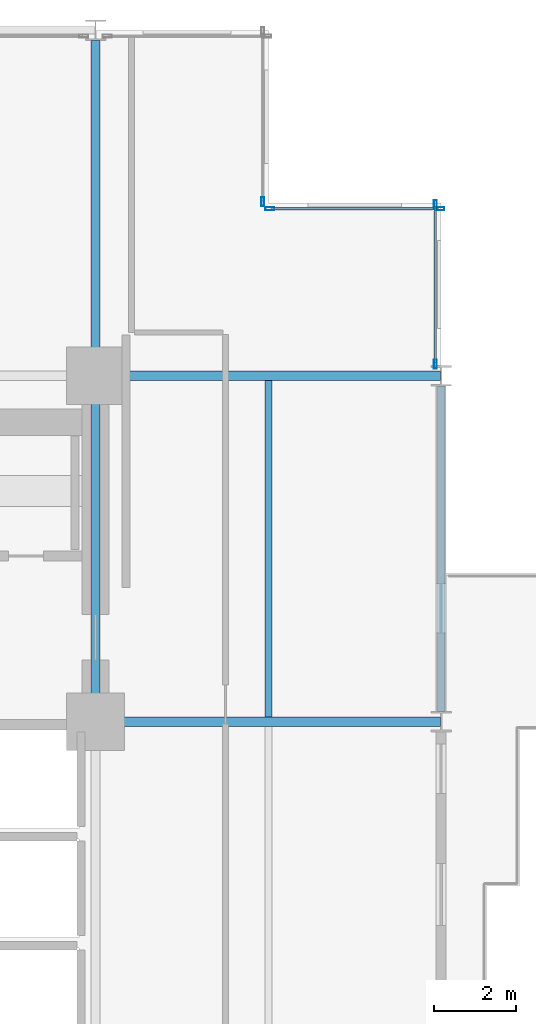
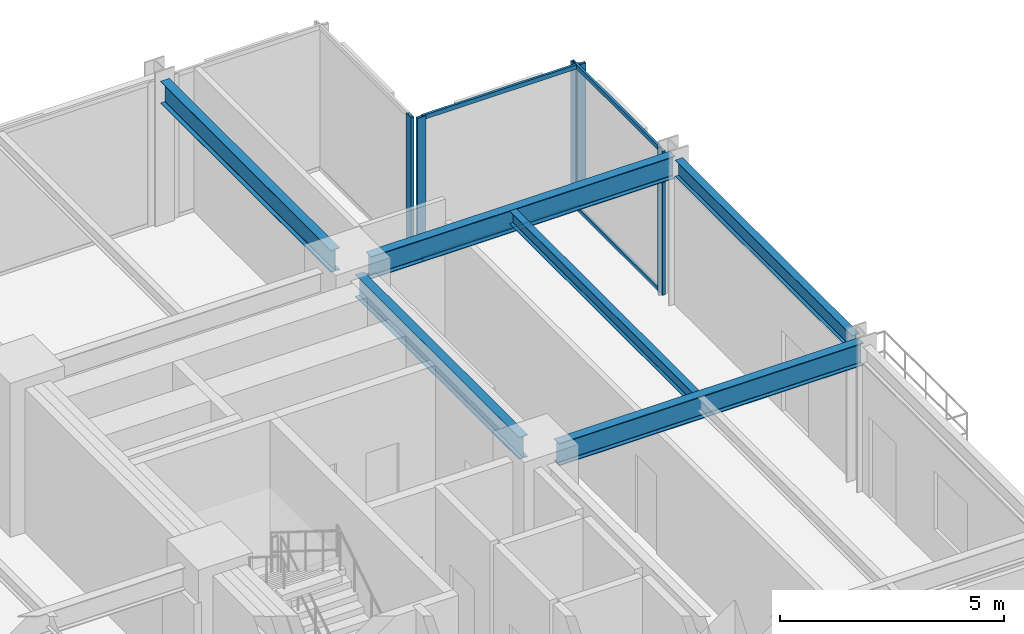
# One storey, part 16 of 24: 9 members, 6 beams, 3 elements without a shape of their own.
"""IFC4 building model written with IfcOpenShell, lengths in metres."""

from ifc_helpers import new_model, si_unit, direction, frame, origin, origin_2d, place, context, subcontext, project, spatial, hollow_rectangle, i_section, extrude, material, layer, layer_set, material_profile, profile_set, type_object, element, aggregate, save


model = new_model("IFC4")

# Units and contexts
model_context = context("Model", 3, precision=1e-05, world=origin(), true_north=direction((0.0, 1.0)))
body_context = subcontext(model_context, "Body", "Model", "MODEL_VIEW")
ifc_project = project(units=[si_unit("LENGTHUNIT", "METRE"), si_unit("AREAUNIT", "SQUARE_METRE"), si_unit("VOLUMEUNIT", "CUBIC_METRE"), si_unit("PLANEANGLEUNIT", "RADIAN"), si_unit("MASSUNIT", "GRAM", prefix="KILO")], contexts=[model_context])

# Site, building, storey
site_placement = place(None, origin())
site = spatial("IfcSite", under=ifc_project, at=site_placement, CompositionType="ELEMENT")
building_placement = place(site_placement, origin())
building = spatial("IfcBuilding", under=site, at=building_placement, Name="Nerrivon Quay Data Exchange", CompositionType="ELEMENT")
storey_placement = place(building_placement, frame((0.0, 0.0, 37.39990234375)))
storey = spatial("IfcBuildingStorey", under=building, at=storey_placement, Name="L08", CompositionType="ELEMENT", Elevation=37.39990234375)

# Beams
ifc_material_1 = material(Name="Steel Grade 350", Category="steel")
ifc_material_profile_1 = material_profile(ifc_material_1, i_section(OverallWidth=0.22900390625, OverallDepth=0.612060546875, WebThickness=0.011962890625, FlangeThickness=0.01953125, FilletRadius=0.013916015625, at=origin_2d()), Name="610UB125")
ifc_profile_set_1 = profile_set([ifc_material_profile_1], Name="Steel Grade 350")
beam_type_1 = type_object("IfcBeamType", Name="BM-G1-610UB125", PredefinedType="BEAM", material=ifc_profile_set_1)
for number, where, z_axis, x_axis, name in (
    (1, (17.340087890625, 33.60009765625, 3.619140625), (1.0, 0.0, 0.0), (0.0, 1.0, 0.0), "L08 EW Girder Y=33.6 (16.8..25.2)"),
    (2, (17.340087890625, 42.0, 3.619140625), (1.0, 0.0, 0.0), (0.0, 1.0, 0.0), "L08 EW Girder Y=42.0 (16.8..25.2)"),
):
    element("IfcBeam", number, at=place(storey_placement, frame(where, z_axis=z_axis, x_axis=x_axis)), inside=storey, type_object=beam_type_1, Name=name, PredefinedType="BEAM", context=body_context, shape_type="SweptSolid", body=[
        extrude(i_section(OverallWidth=0.22900390625, OverallDepth=0.612060546875, WebThickness=0.011962890625, FlangeThickness=0.01953125, FilletRadius=0.013916015625, at=origin_2d()), origin(), (0.0, 0.0, 1.0), 7.845947265625),
    ])
ifc_material_profile_2 = material_profile(ifc_material_1, i_section(OverallWidth=0.22802734375, OverallDepth=0.60205078125, WebThickness=0.010498046875, FlangeThickness=0.014892578125, FilletRadius=0.013916015625, at=origin_2d()), Name="610UB101")
ifc_profile_set_2 = profile_set([ifc_material_profile_2], Name="Steel Grade 350")
beam_type_2 = type_object("IfcBeamType", Name="BM-G2-610UB101", PredefinedType="BEAM", material=ifc_profile_set_2)
beam_1_placement = place(storey_placement, frame((16.800048828125, 34.139892578125, 3.6240234375), z_axis=(0.0, 1.0, 0.0), x_axis=(-1.0, 0.0, 0.0)))
element("IfcBeam", 3, at=beam_1_placement, inside=storey, type_object=beam_type_2, Name="L08 NS Girder X=16.8 (33.6..42.0)", PredefinedType="BEAM", context=body_context, shape_type="SweptSolid", body=[
    extrude(i_section(OverallWidth=0.22802734375, OverallDepth=0.60205078125, WebThickness=0.010498046875, FlangeThickness=0.014892578125, FilletRadius=0.013916015625, at=origin_2d()), origin(), (0.0, 0.0, 1.0), 7.320068359375),
])
beam_2_placement = place(storey_placement, frame((16.800048828125, 42.5400390625, 3.6240234375), z_axis=(0.0, 1.0, 0.0), x_axis=(-1.0, 0.0, 0.0)))
element("IfcBeam", 4, at=beam_2_placement, inside=storey, type_object=beam_type_2, Name="L08 NS Girder X=16.8 (42.0..50.4)", PredefinedType="BEAM", context=body_context, shape_type="SweptSolid", body=[
    extrude(i_section(OverallWidth=0.22802734375, OverallDepth=0.60205078125, WebThickness=0.010498046875, FlangeThickness=0.014892578125, FilletRadius=0.013916015625, at=origin_2d()), origin(), (0.0, 0.0, 1.0), 7.60986328125),
])
ifc_material_profile_3 = material_profile(ifc_material_1, i_section(OverallWidth=0.172119140625, OverallDepth=0.35888671875, WebThickness=0.008056640625, FlangeThickness=0.012939453125, FilletRadius=0.011474609375, at=origin_2d()), Name="360UB56.7")
ifc_profile_set_3 = profile_set([ifc_material_profile_3], Name="Steel Grade 350")
beam_type_3 = type_object("IfcBeamType", Name="BM-J3-360UB57", PredefinedType="JOIST", material=ifc_profile_set_3)
beam_3_placement = place(storey_placement, frame((21.0, 33.714599609375, 3.74560546875), z_axis=(0.0, 1.0, 0.0), x_axis=(-1.0, 0.0, 0.0)))
element("IfcBeam", 5, at=beam_3_placement, inside=storey, type_object=beam_type_3, Name="L08 Secondary Joist X=21.0 (33.6..42.0)", PredefinedType="JOIST", context=body_context, shape_type="SweptSolid", body=[
    extrude(i_section(OverallWidth=0.172119140625, OverallDepth=0.35888671875, WebThickness=0.008056640625, FlangeThickness=0.012939453125, FilletRadius=0.011474609375, at=origin_2d()), origin(), (0.0, 0.0, 1.0), 8.1708984375),
])
ifc_material_profile_4 = material_profile(ifc_material_1, i_section(OverallWidth=0.18994140625, OverallDepth=0.4541015625, WebThickness=0.008544921875, FlangeThickness=0.0126953125, FilletRadius=0.011474609375, at=origin_2d()), Name="460UB67.1")
ifc_profile_set_4 = profile_set([ifc_material_profile_4], Name="Steel Grade 350")
beam_type_4 = type_object("IfcBeamType", Name="BM-SP1-460UB67", PredefinedType="SPANDREL", material=ifc_profile_set_4)
beam_4_placement = place(storey_placement, frame((25.199951171875, 33.85009765625, 3.697998046875), z_axis=(0.0, 1.0, 0.0), x_axis=(-1.0, 0.0, 0.0)))
element("IfcBeam", 6, at=beam_4_placement, inside=storey, type_object=beam_type_4, Name="L08 NS Girder X=25.2 (33.6..42.0)", PredefinedType="SPANDREL", context=body_context, shape_type="SweptSolid", body=[
    extrude(i_section(OverallWidth=0.18994140625, OverallDepth=0.4541015625, WebThickness=0.008544921875, FlangeThickness=0.0126953125, FilletRadius=0.011474609375, at=origin_2d()), origin(), (0.0, 0.0, 1.0), 7.89990234375),
])

# Curtain wall, member
ifc_material_2 = material(Name="Anodised aluminium 6063-T6", Category="aluminium")
ifc_layer = layer(ifc_material_2, 0.219970703125)
ifc_layer_set = layer_set([ifc_layer], Name="Anodised aluminium 6063-T6")
curtain_wall_type = type_object("IfcCurtainWallType", Name="CW-SYS-01", PredefinedType="NOTDEFINED", material=ifc_layer_set)
curtain_wall_1_placement = place(storey_placement, origin())
curtain_wall_1 = element("IfcCurtainWall", 7, at=curtain_wall_1_placement, inside=storey, type_object=curtain_wall_type, Name="L08 Unitised Curtain Wall 23", PredefinedType="NOTDEFINED")
ifc_material_profile_5 = material_profile(ifc_material_2, hollow_rectangle(XDim=0.074951171875, YDim=0.219970703125, WallThickness=0.00390625, at=origin_2d()), Name="ALU-MULL-220x75")
ifc_profile_set_5 = profile_set([ifc_material_profile_5], Name="Anodised aluminium 6063-T6")
member_type_1 = type_object("IfcMemberType", Name="CWM-220x75", PredefinedType="MULLION", material=ifc_profile_set_5)
member_1_placement = place(storey_placement, frame((20.860107421875, 46.237548828125, 0.0), z_axis=(0.0, 0.0, 1.0), x_axis=(1.0, 0.0, 0.0)))
member_1 = element("IfcMember", 8, at=member_1_placement, type_object=member_type_1, Name="CW01 mullion 2", PredefinedType="MULLION", context=body_context, shape_type="SweptSolid", body=[
    extrude(hollow_rectangle(XDim=0.074951171875, YDim=0.219970703125, WallThickness=0.00390625, at=origin_2d()), origin(), (0.0, 0.0, 1.0), 3.925048828125),
])
aggregate(curtain_wall_1, [member_1])

# Curtain wall, members
curtain_wall_2_placement = place(storey_placement, origin())
curtain_wall_2 = element("IfcCurtainWall", 9, at=curtain_wall_2_placement, inside=storey, type_object=curtain_wall_type, Name="L08 Unitised Curtain Wall 24", PredefinedType="NOTDEFINED")
member_2_placement = place(storey_placement, frame((21.03759765625, 46.06005859375, 0.0), z_axis=(0.0, 0.0, 1.0), x_axis=(0.0, 1.0, 0.0)))
member_2 = element("IfcMember", 10, at=member_2_placement, type_object=member_type_1, Name="CW01 mullion 1", PredefinedType="MULLION", context=body_context, shape_type="SweptSolid", body=[
    extrude(hollow_rectangle(XDim=0.074951171875, YDim=0.219970703125, WallThickness=0.00390625, at=origin_2d()), origin(), (0.0, 0.0, 1.0), 3.925048828125),
])
member_3_placement = place(storey_placement, frame((25.16259765625, 46.06005859375, 0.0), z_axis=(0.0, 0.0, 1.0), x_axis=(0.0, 1.0, 0.0)))
member_3 = element("IfcMember", 11, at=member_3_placement, type_object=member_type_1, Name="CW01 mullion 2", PredefinedType="MULLION", context=body_context, shape_type="SweptSolid", body=[
    extrude(hollow_rectangle(XDim=0.074951171875, YDim=0.219970703125, WallThickness=0.00390625, at=origin_2d()), origin(), (0.0, 0.0, 1.0), 3.925048828125),
])

curtain_wall_3_placement = place(storey_placement, origin())
curtain_wall_3 = element("IfcCurtainWall", 12, at=curtain_wall_3_placement, inside=storey, type_object=curtain_wall_type, Name="L08 Unitised Curtain Wall 25", PredefinedType="NOTDEFINED")
member_4_placement = place(storey_placement, frame((25.06005859375, 46.16259765625, 0.0), z_axis=(0.0, 0.0, 1.0), x_axis=(1.0, 0.0, 0.0)))
member_4 = element("IfcMember", 13, at=member_4_placement, type_object=member_type_1, Name="CW01 mullion 1", PredefinedType="MULLION", context=body_context, shape_type="SweptSolid", body=[
    extrude(hollow_rectangle(XDim=0.074951171875, YDim=0.219970703125, WallThickness=0.00390625, at=origin_2d()), origin(), (0.0, 0.0, 1.0), 3.925048828125),
])
member_5_placement = place(storey_placement, frame((25.06005859375, 42.28759765625, 0.0), z_axis=(0.0, 0.0, 1.0), x_axis=(1.0, 0.0, 0.0)))
member_5 = element("IfcMember", 14, at=member_5_placement, type_object=member_type_1, Name="CW01 mullion 2", PredefinedType="MULLION", context=body_context, shape_type="SweptSolid", body=[
    extrude(hollow_rectangle(XDim=0.074951171875, YDim=0.219970703125, WallThickness=0.00390625, at=origin_2d()), origin(), (0.0, 0.0, 1.0), 3.925048828125),
])

# Member
ifc_material_profile_6 = material_profile(ifc_material_2, hollow_rectangle(XDim=0.06005859375, YDim=0.1201171875, WallThickness=0.003173828125, at=origin_2d()), Name="ALU-TRAN-120x60")
ifc_profile_set_6 = profile_set([ifc_material_profile_6], Name="Anodised aluminium 6063-T6")
member_type_2 = type_object("IfcMemberType", Name="CWT-120x60", PredefinedType="USERDEFINED", material=ifc_profile_set_6)
member_6_placement = place(storey_placement, frame((21.074951171875, 46.06005859375, 0.03271484375), z_axis=(1.0, 0.0, 0.0), x_axis=(0.0, 1.0, 0.0)))
member_6 = element("IfcMember", 15, at=member_6_placement, type_object=member_type_2, Name="CW01 transom 1.1", ObjectType="TRANSOM", PredefinedType="USERDEFINED", context=body_context, shape_type="SweptSolid", body=[
    extrude(hollow_rectangle(XDim=0.06005859375, YDim=0.1201171875, WallThickness=0.003173828125, at=origin_2d()), origin(), (0.0, 0.0, 1.0), 4.050048828125),
])

member_7_placement = place(storey_placement, frame((21.074951171875, 46.06005859375, 3.892578125), z_axis=(1.0, 0.0, 0.0), x_axis=(0.0, 1.0, 0.0)))
member_7 = element("IfcMember", 16, at=member_7_placement, type_object=member_type_2, Name="CW01 transom 1.2", ObjectType="TRANSOM", PredefinedType="USERDEFINED", context=body_context, shape_type="SweptSolid", body=[
    extrude(hollow_rectangle(XDim=0.06005859375, YDim=0.1201171875, WallThickness=0.003173828125, at=origin_2d()), origin(), (0.0, 0.0, 1.0), 4.050048828125),
])

aggregate(curtain_wall_2, [member_2, member_3, member_6, member_7])

member_8_placement = place(storey_placement, frame((25.06005859375, 46.125, 0.03271484375), z_axis=(0.0, -1.0, 0.0), x_axis=(1.0, 0.0, 0.0)))
member_8 = element("IfcMember", 17, at=member_8_placement, type_object=member_type_2, Name="CW01 transom 1.1", ObjectType="TRANSOM", PredefinedType="USERDEFINED", context=body_context, shape_type="SweptSolid", body=[
    extrude(hollow_rectangle(XDim=0.06005859375, YDim=0.1201171875, WallThickness=0.003173828125, at=origin_2d()), origin(), (0.0, 0.0, 1.0), 3.800048828125),
])

member_9_placement = place(storey_placement, frame((25.06005859375, 46.125, 3.892578125), z_axis=(0.0, -1.0, 0.0), x_axis=(1.0, 0.0, 0.0)))
member_9 = element("IfcMember", 18, at=member_9_placement, type_object=member_type_2, Name="CW01 transom 1.2", ObjectType="TRANSOM", PredefinedType="USERDEFINED", context=body_context, shape_type="SweptSolid", body=[
    extrude(hollow_rectangle(XDim=0.06005859375, YDim=0.1201171875, WallThickness=0.003173828125, at=origin_2d()), origin(), (0.0, 0.0, 1.0), 3.800048828125),
])

aggregate(curtain_wall_3, [member_4, member_5, member_8, member_9])

save(model, "model.ifc")
